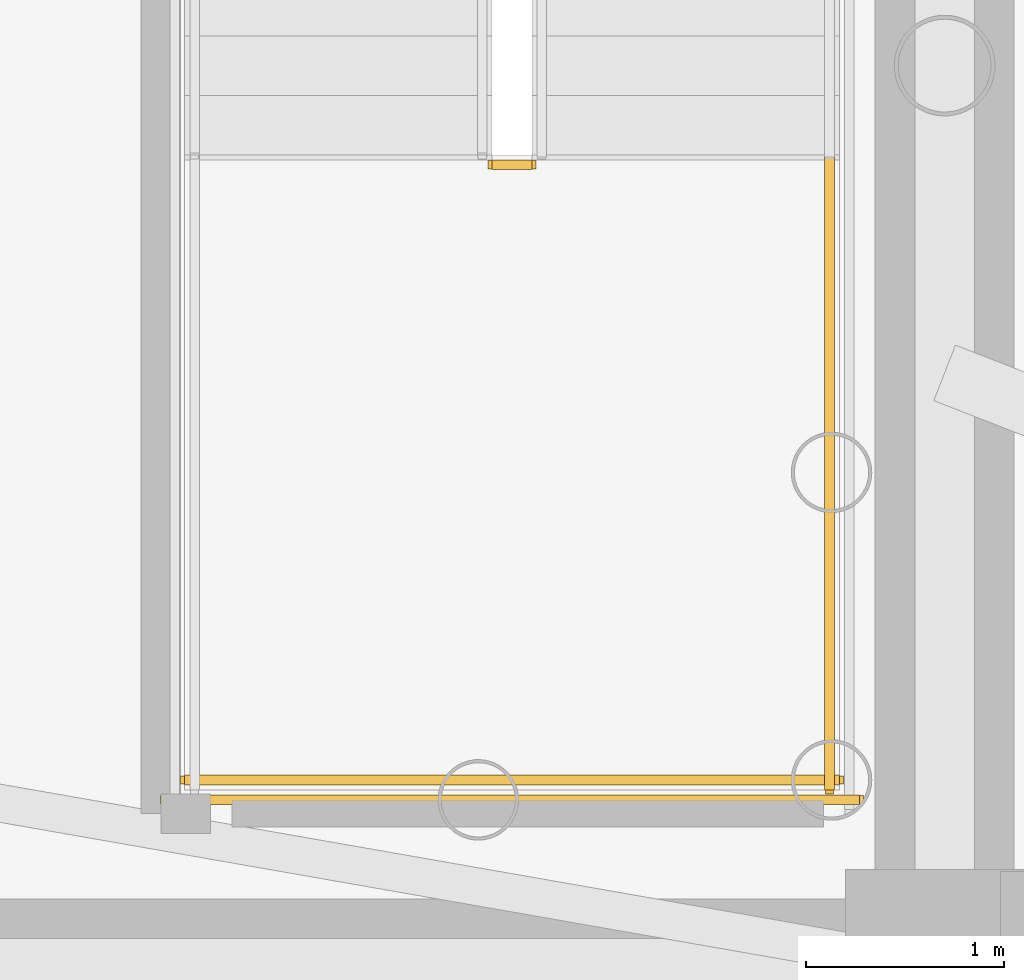
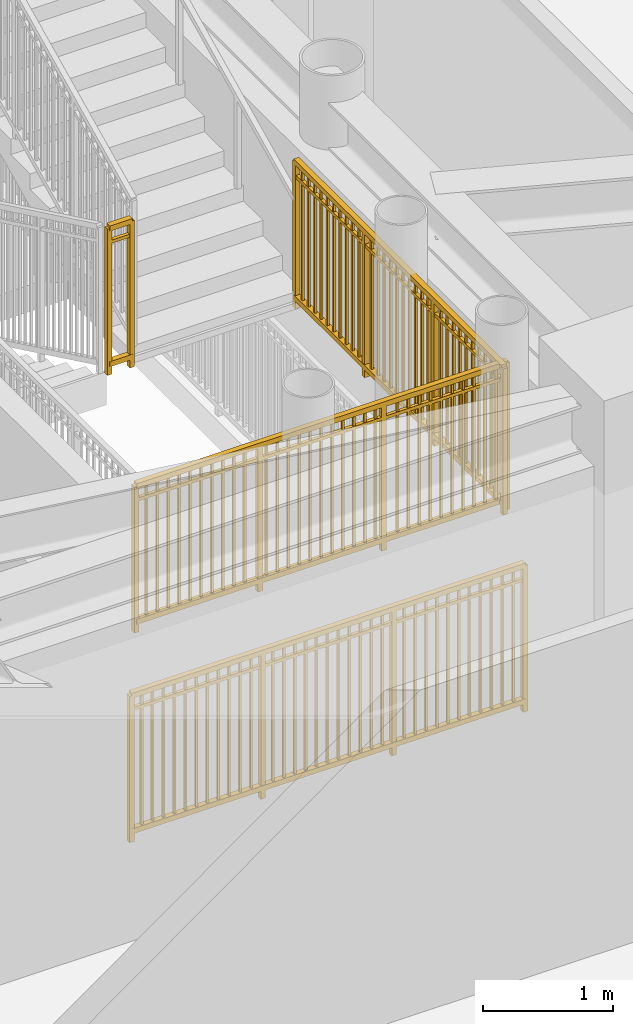
# One storey, part 12 of 17: 4 railings.
"""IFC4 building model written with IfcOpenShell, lengths in metres."""

from ifc_helpers import new_model, si_unit, direction, frame, origin, origin_2d, place, context, subcontext, project, spatial, rectangle, extrude, source, transform, mapped, material, type_object, element, save


model = new_model("IFC4")

# Units and contexts
model_context = context("Model", 3, precision=1e-05, world=origin(), true_north=direction((0.0, 1.0)))
body_context = subcontext(model_context, "Body", "Model", "MODEL_VIEW")
ifc_project = project(units=[si_unit("LENGTHUNIT", "METRE"), si_unit("AREAUNIT", "SQUARE_METRE"), si_unit("VOLUMEUNIT", "CUBIC_METRE"), si_unit("PLANEANGLEUNIT", "RADIAN"), si_unit("MASSUNIT", "GRAM", prefix="KILO")], contexts=[model_context])

# Site, building, storey
site_placement = place(None, origin())
site = spatial("IfcSite", under=ifc_project, at=site_placement, CompositionType="ELEMENT")
building_placement = place(site_placement, origin())
building = spatial("IfcBuilding", under=site, at=building_placement, Name="Linh Dai School and Residence Tower", CompositionType="ELEMENT")
storey_placement = place(building_placement, frame((0.0, 0.0, 310.5)))
storey = spatial("IfcBuildingStorey", under=building, at=storey_placement, Name="L77", CompositionType="ELEMENT", Elevation=310.5)

# Railings
ifc_material = material(Name="Structural Steel S355JR", Category="steel")
railing_type = type_object("IfcRailingType", Name="RL-ST-GUARD-1400", PredefinedType="GUARDRAIL", material=ifc_material)
shared_shape_1 = source(origin(), body_context, "Body", "SweptSolid", [
    extrude(rectangle(XDim=0.048095703125, YDim=0.048095703125, at=origin_2d()), frame((0.0, 0.0, 1.3759765625), z_axis=(1.0, 0.0, 0.0), x_axis=(0.0, 1.0, 0.0)), (0.0, 0.0, 1.0), 0.199951171875),
    extrude(rectangle(XDim=0.048095703125, YDim=0.048095703125, at=origin_2d()), frame((0.0, 0.0, 0.10009765625), z_axis=(1.0, 0.0, 0.0), x_axis=(0.0, 1.0, 0.0)), (0.0, 0.0, 1.0), 0.199951171875),
    extrude(rectangle(XDim=0.030029296875, YDim=0.030029296875, at=origin_2d()), frame((0.0, 0.0, 1.239990234375), z_axis=(1.0, 0.0, 0.0), x_axis=(0.0, 1.0, 0.0)), (0.0, 0.0, 1.0), 0.199951171875),
    extrude(rectangle(XDim=0.0419921875, YDim=0.0419921875, at=origin_2d()), origin(), (0.0, 0.0, 1.0), 1.3759765625),
    extrude(rectangle(XDim=0.0419921875, YDim=0.0419921875, at=origin_2d()), frame((0.199951171875, 0.0, 0.0)), (0.0, 0.0, 1.0), 1.3759765625),
])
railing_1_placement = place(storey_placement, frame((42.570068359375, 24.60009765625, 1.875)))
element("IfcRailing", 1, at=railing_1_placement, inside=storey, type_object=railing_type, Name="L77 ST2 stair guard 2", PredefinedType="GUARDRAIL", context=body_context, shape_type="MappedRepresentation", body=[
    mapped(shared_shape_1, transform((0.0, 0.0, 0.0), x_axis=(1.0, 0.0, 0.0), y_axis=(0.0, 1.0, 0.0), z_axis=(0.0, 0.0, 1.0), scale=1.0)),
])
shared_shape_2 = source(origin(), body_context, "Body", "SweptSolid", [
    extrude(rectangle(XDim=0.048095703125, YDim=0.048095703125, at=origin_2d()), frame((0.0, 0.0, 1.3759765625), z_axis=(1.0, 0.0, 0.0), x_axis=(0.0, 1.0, 0.0)), (0.0, 0.0, 1.0), 3.300048828125),
    extrude(rectangle(XDim=0.048095703125, YDim=0.048095703125, at=origin_2d()), frame((0.0, 0.0, 0.10009765625), z_axis=(1.0, 0.0, 0.0), x_axis=(0.0, 1.0, 0.0)), (0.0, 0.0, 1.0), 3.300048828125),
    extrude(rectangle(XDim=0.030029296875, YDim=0.030029296875, at=origin_2d()), frame((0.0, 0.0, 1.239990234375), z_axis=(1.0, 0.0, 0.0), x_axis=(0.0, 1.0, 0.0)), (0.0, 0.0, 1.0), 3.300048828125),
    extrude(rectangle(XDim=0.02001953125, YDim=0.02001953125, at=origin_2d()), frame((0.09716796875, 0.0, 0.10009765625)), (0.0, 0.0, 1.0), 1.251708984375),
    extrude(rectangle(XDim=0.02001953125, YDim=0.02001953125, at=origin_2d()), frame((0.194091796875, 0.0, 0.10009765625)), (0.0, 0.0, 1.0), 1.251708984375),
    extrude(rectangle(XDim=0.02001953125, YDim=0.02001953125, at=origin_2d()), frame((0.291259765625, 0.0, 0.10009765625)), (0.0, 0.0, 1.0), 1.251708984375),
    extrude(rectangle(XDim=0.02001953125, YDim=0.02001953125, at=origin_2d()), frame((0.38818359375, 0.0, 0.10009765625)), (0.0, 0.0, 1.0), 1.251708984375),
    extrude(rectangle(XDim=0.02001953125, YDim=0.02001953125, at=origin_2d()), frame((0.4853515625, 0.0, 0.10009765625)), (0.0, 0.0, 1.0), 1.251708984375),
    extrude(rectangle(XDim=0.02001953125, YDim=0.02001953125, at=origin_2d()), frame((0.582275390625, 0.0, 0.10009765625)), (0.0, 0.0, 1.0), 1.251708984375),
    extrude(rectangle(XDim=0.02001953125, YDim=0.02001953125, at=origin_2d()), frame((0.679443359375, 0.0, 0.10009765625)), (0.0, 0.0, 1.0), 1.251708984375),
    extrude(rectangle(XDim=0.02001953125, YDim=0.02001953125, at=origin_2d()), frame((0.7763671875, 0.0, 0.10009765625)), (0.0, 0.0, 1.0), 1.251708984375),
    extrude(rectangle(XDim=0.02001953125, YDim=0.02001953125, at=origin_2d()), frame((0.87353515625, 0.0, 0.10009765625)), (0.0, 0.0, 1.0), 1.251708984375),
    extrude(rectangle(XDim=0.02001953125, YDim=0.02001953125, at=origin_2d()), frame((0.970703125, 0.0, 0.10009765625)), (0.0, 0.0, 1.0), 1.251708984375),
    extrude(rectangle(XDim=0.02001953125, YDim=0.02001953125, at=origin_2d()), frame((1.164794921875, 0.0, 0.10009765625)), (0.0, 0.0, 1.0), 1.251708984375),
    extrude(rectangle(XDim=0.02001953125, YDim=0.02001953125, at=origin_2d()), frame((1.26171875, 0.0, 0.10009765625)), (0.0, 0.0, 1.0), 1.251708984375),
    extrude(rectangle(XDim=0.02001953125, YDim=0.02001953125, at=origin_2d()), frame((1.35888671875, 0.0, 0.10009765625)), (0.0, 0.0, 1.0), 1.251708984375),
    extrude(rectangle(XDim=0.02001953125, YDim=0.02001953125, at=origin_2d()), frame((1.455810546875, 0.0, 0.10009765625)), (0.0, 0.0, 1.0), 1.251708984375),
    extrude(rectangle(XDim=0.02001953125, YDim=0.02001953125, at=origin_2d()), frame((1.552978515625, 0.0, 0.10009765625)), (0.0, 0.0, 1.0), 1.251708984375),
    extrude(rectangle(XDim=0.02001953125, YDim=0.02001953125, at=origin_2d()), frame((1.64990234375, 0.0, 0.10009765625)), (0.0, 0.0, 1.0), 1.251708984375),
    extrude(rectangle(XDim=0.02001953125, YDim=0.02001953125, at=origin_2d()), frame((1.7470703125, 0.0, 0.10009765625)), (0.0, 0.0, 1.0), 1.251708984375),
    extrude(rectangle(XDim=0.02001953125, YDim=0.02001953125, at=origin_2d()), frame((1.84423828125, 0.0, 0.10009765625)), (0.0, 0.0, 1.0), 1.251708984375),
    extrude(rectangle(XDim=0.02001953125, YDim=0.02001953125, at=origin_2d()), frame((1.941162109375, 0.0, 0.10009765625)), (0.0, 0.0, 1.0), 1.251708984375),
    extrude(rectangle(XDim=0.02001953125, YDim=0.02001953125, at=origin_2d()), frame((2.038330078125, 0.0, 0.10009765625)), (0.0, 0.0, 1.0), 1.251708984375),
    extrude(rectangle(XDim=0.02001953125, YDim=0.02001953125, at=origin_2d()), frame((2.13525390625, 0.0, 0.10009765625)), (0.0, 0.0, 1.0), 1.251708984375),
    extrude(rectangle(XDim=0.02001953125, YDim=0.02001953125, at=origin_2d()), frame((2.329345703125, 0.0, 0.10009765625)), (0.0, 0.0, 1.0), 1.251708984375),
    extrude(rectangle(XDim=0.02001953125, YDim=0.02001953125, at=origin_2d()), frame((2.426513671875, 0.0, 0.10009765625)), (0.0, 0.0, 1.0), 1.251708984375),
    extrude(rectangle(XDim=0.02001953125, YDim=0.02001953125, at=origin_2d()), frame((2.523681640625, 0.0, 0.10009765625)), (0.0, 0.0, 1.0), 1.251708984375),
    extrude(rectangle(XDim=0.02001953125, YDim=0.02001953125, at=origin_2d()), frame((2.62060546875, 0.0, 0.10009765625)), (0.0, 0.0, 1.0), 1.251708984375),
    extrude(rectangle(XDim=0.02001953125, YDim=0.02001953125, at=origin_2d()), frame((2.7177734375, 0.0, 0.10009765625)), (0.0, 0.0, 1.0), 1.251708984375),
    extrude(rectangle(XDim=0.02001953125, YDim=0.02001953125, at=origin_2d()), frame((2.814697265625, 0.0, 0.10009765625)), (0.0, 0.0, 1.0), 1.251708984375),
    extrude(rectangle(XDim=0.02001953125, YDim=0.02001953125, at=origin_2d()), frame((2.911865234375, 0.0, 0.10009765625)), (0.0, 0.0, 1.0), 1.251708984375),
    extrude(rectangle(XDim=0.02001953125, YDim=0.02001953125, at=origin_2d()), frame((3.0087890625, 0.0, 0.10009765625)), (0.0, 0.0, 1.0), 1.251708984375),
    extrude(rectangle(XDim=0.02001953125, YDim=0.02001953125, at=origin_2d()), frame((3.10595703125, 0.0, 0.10009765625)), (0.0, 0.0, 1.0), 1.251708984375),
    extrude(rectangle(XDim=0.02001953125, YDim=0.02001953125, at=origin_2d()), frame((3.202880859375, 0.0, 0.10009765625)), (0.0, 0.0, 1.0), 1.251708984375),
    extrude(rectangle(XDim=0.0419921875, YDim=0.0419921875, at=origin_2d()), origin(), (0.0, 0.0, 1.0), 1.3759765625),
    extrude(rectangle(XDim=0.0419921875, YDim=0.0419921875, at=origin_2d()), frame((1.10009765625, 0.0, 0.0)), (0.0, 0.0, 1.0), 1.3759765625),
    extrude(rectangle(XDim=0.0419921875, YDim=0.0419921875, at=origin_2d()), frame((2.199951171875, 0.0, 0.0)), (0.0, 0.0, 1.0), 1.3759765625),
    extrude(rectangle(XDim=0.0419921875, YDim=0.0419921875, at=origin_2d()), frame((3.300048828125, 0.0, 0.0)), (0.0, 0.0, 1.0), 1.3759765625),
])
railing_2_placement = place(storey_placement, frame((41.02001953125, 21.5, 1.875)))
element("IfcRailing", 2, at=railing_2_placement, inside=storey, type_object=railing_type, Name="L77 ST2 stair guard 5", PredefinedType="GUARDRAIL", context=body_context, shape_type="MappedRepresentation", body=[
    mapped(shared_shape_2, transform((0.0, 0.0, 0.0), x_axis=(1.0, 0.0, 0.0), y_axis=(0.0, 1.0, 0.0), z_axis=(0.0, 0.0, 1.0), scale=1.0)),
])
shared_shape_3 = source(origin(), body_context, "Body", "SweptSolid", [
    extrude(rectangle(XDim=0.048095703125, YDim=0.048095703125, at=origin_2d()), frame((0.0, 0.0, 1.3759765625), z_axis=(1.0, 0.0, 0.0), x_axis=(0.0, 1.0, 0.0)), (0.0, 0.0, 1.0), 3.5),
    extrude(rectangle(XDim=0.048095703125, YDim=0.048095703125, at=origin_2d()), frame((0.0, 0.0, 0.10009765625), z_axis=(1.0, 0.0, 0.0), x_axis=(0.0, 1.0, 0.0)), (0.0, 0.0, 1.0), 3.5),
    extrude(rectangle(XDim=0.030029296875, YDim=0.030029296875, at=origin_2d()), frame((0.0, 0.0, 1.239990234375), z_axis=(1.0, 0.0, 0.0), x_axis=(0.0, 1.0, 0.0)), (0.0, 0.0, 1.0), 3.5),
    extrude(rectangle(XDim=0.02001953125, YDim=0.02001953125, at=origin_2d()), frame((0.09716796875, 0.0, 0.10009765625)), (0.0, 0.0, 1.0), 1.251708984375),
    extrude(rectangle(XDim=0.02001953125, YDim=0.02001953125, at=origin_2d()), frame((0.1943359375, 0.0, 0.10009765625)), (0.0, 0.0, 1.0), 1.251708984375),
    extrude(rectangle(XDim=0.02001953125, YDim=0.02001953125, at=origin_2d()), frame((0.291748046875, 0.0, 0.10009765625)), (0.0, 0.0, 1.0), 1.251708984375),
    extrude(rectangle(XDim=0.02001953125, YDim=0.02001953125, at=origin_2d()), frame((0.388916015625, 0.0, 0.10009765625)), (0.0, 0.0, 1.0), 1.251708984375),
    extrude(rectangle(XDim=0.02001953125, YDim=0.02001953125, at=origin_2d()), frame((0.486083984375, 0.0, 0.10009765625)), (0.0, 0.0, 1.0), 1.251708984375),
    extrude(rectangle(XDim=0.02001953125, YDim=0.02001953125, at=origin_2d()), frame((0.583251953125, 0.0, 0.10009765625)), (0.0, 0.0, 1.0), 1.251708984375),
    extrude(rectangle(XDim=0.02001953125, YDim=0.02001953125, at=origin_2d()), frame((0.6806640625, 0.0, 0.10009765625)), (0.0, 0.0, 1.0), 1.251708984375),
    extrude(rectangle(XDim=0.02001953125, YDim=0.02001953125, at=origin_2d()), frame((0.77783203125, 0.0, 0.10009765625)), (0.0, 0.0, 1.0), 1.251708984375),
    extrude(rectangle(XDim=0.02001953125, YDim=0.02001953125, at=origin_2d()), frame((0.875, 0.0, 0.10009765625)), (0.0, 0.0, 1.0), 1.251708984375),
    extrude(rectangle(XDim=0.02001953125, YDim=0.02001953125, at=origin_2d()), frame((0.97216796875, 0.0, 0.10009765625)), (0.0, 0.0, 1.0), 1.251708984375),
    extrude(rectangle(XDim=0.02001953125, YDim=0.02001953125, at=origin_2d()), frame((1.0693359375, 0.0, 0.10009765625)), (0.0, 0.0, 1.0), 1.251708984375),
    extrude(rectangle(XDim=0.02001953125, YDim=0.02001953125, at=origin_2d()), frame((1.263916015625, 0.0, 0.10009765625)), (0.0, 0.0, 1.0), 1.251708984375),
    extrude(rectangle(XDim=0.02001953125, YDim=0.02001953125, at=origin_2d()), frame((1.361083984375, 0.0, 0.10009765625)), (0.0, 0.0, 1.0), 1.251708984375),
    extrude(rectangle(XDim=0.02001953125, YDim=0.02001953125, at=origin_2d()), frame((1.458251953125, 0.0, 0.10009765625)), (0.0, 0.0, 1.0), 1.251708984375),
    extrude(rectangle(XDim=0.02001953125, YDim=0.02001953125, at=origin_2d()), frame((1.5556640625, 0.0, 0.10009765625)), (0.0, 0.0, 1.0), 1.251708984375),
    extrude(rectangle(XDim=0.02001953125, YDim=0.02001953125, at=origin_2d()), frame((1.65283203125, 0.0, 0.10009765625)), (0.0, 0.0, 1.0), 1.251708984375),
    extrude(rectangle(XDim=0.02001953125, YDim=0.02001953125, at=origin_2d()), frame((1.75, 0.0, 0.10009765625)), (0.0, 0.0, 1.0), 1.251708984375),
    extrude(rectangle(XDim=0.02001953125, YDim=0.02001953125, at=origin_2d()), frame((1.84716796875, 0.0, 0.10009765625)), (0.0, 0.0, 1.0), 1.251708984375),
    extrude(rectangle(XDim=0.02001953125, YDim=0.02001953125, at=origin_2d()), frame((1.9443359375, 0.0, 0.10009765625)), (0.0, 0.0, 1.0), 1.251708984375),
    extrude(rectangle(XDim=0.02001953125, YDim=0.02001953125, at=origin_2d()), frame((2.041748046875, 0.0, 0.10009765625)), (0.0, 0.0, 1.0), 1.251708984375),
    extrude(rectangle(XDim=0.02001953125, YDim=0.02001953125, at=origin_2d()), frame((2.138916015625, 0.0, 0.10009765625)), (0.0, 0.0, 1.0), 1.251708984375),
    extrude(rectangle(XDim=0.02001953125, YDim=0.02001953125, at=origin_2d()), frame((2.236083984375, 0.0, 0.10009765625)), (0.0, 0.0, 1.0), 1.251708984375),
    extrude(rectangle(XDim=0.02001953125, YDim=0.02001953125, at=origin_2d()), frame((2.4306640625, 0.0, 0.10009765625)), (0.0, 0.0, 1.0), 1.251708984375),
    extrude(rectangle(XDim=0.02001953125, YDim=0.02001953125, at=origin_2d()), frame((2.52783203125, 0.0, 0.10009765625)), (0.0, 0.0, 1.0), 1.251708984375),
    extrude(rectangle(XDim=0.02001953125, YDim=0.02001953125, at=origin_2d()), frame((2.625, 0.0, 0.10009765625)), (0.0, 0.0, 1.0), 1.251708984375),
    extrude(rectangle(XDim=0.02001953125, YDim=0.02001953125, at=origin_2d()), frame((2.72216796875, 0.0, 0.10009765625)), (0.0, 0.0, 1.0), 1.251708984375),
    extrude(rectangle(XDim=0.02001953125, YDim=0.02001953125, at=origin_2d()), frame((2.8193359375, 0.0, 0.10009765625)), (0.0, 0.0, 1.0), 1.251708984375),
    extrude(rectangle(XDim=0.02001953125, YDim=0.02001953125, at=origin_2d()), frame((2.916748046875, 0.0, 0.10009765625)), (0.0, 0.0, 1.0), 1.251708984375),
    extrude(rectangle(XDim=0.02001953125, YDim=0.02001953125, at=origin_2d()), frame((3.013916015625, 0.0, 0.10009765625)), (0.0, 0.0, 1.0), 1.251708984375),
    extrude(rectangle(XDim=0.02001953125, YDim=0.02001953125, at=origin_2d()), frame((3.111083984375, 0.0, 0.10009765625)), (0.0, 0.0, 1.0), 1.251708984375),
    extrude(rectangle(XDim=0.02001953125, YDim=0.02001953125, at=origin_2d()), frame((3.208251953125, 0.0, 0.10009765625)), (0.0, 0.0, 1.0), 1.251708984375),
    extrude(rectangle(XDim=0.02001953125, YDim=0.02001953125, at=origin_2d()), frame((3.3056640625, 0.0, 0.10009765625)), (0.0, 0.0, 1.0), 1.251708984375),
    extrude(rectangle(XDim=0.02001953125, YDim=0.02001953125, at=origin_2d()), frame((3.40283203125, 0.0, 0.10009765625)), (0.0, 0.0, 1.0), 1.251708984375),
    extrude(rectangle(XDim=0.0419921875, YDim=0.0419921875, at=origin_2d()), origin(), (0.0, 0.0, 1.0), 1.3759765625),
    extrude(rectangle(XDim=0.0419921875, YDim=0.0419921875, at=origin_2d()), frame((1.166748046875, 0.0, 0.0)), (0.0, 0.0, 1.0), 1.3759765625),
    extrude(rectangle(XDim=0.0419921875, YDim=0.0419921875, at=origin_2d()), frame((2.333251953125, 0.0, 0.0)), (0.0, 0.0, 1.0), 1.3759765625),
    extrude(rectangle(XDim=0.0419921875, YDim=0.0419921875, at=origin_2d()), frame((3.5, 0.0, 0.0)), (0.0, 0.0, 1.0), 1.3759765625),
])
railing_3_placement = place(storey_placement, frame((40.919921875, 21.39990234375, 0.0)))
element("IfcRailing", 3, at=railing_3_placement, inside=storey, type_object=railing_type, Name="L77 ST2 stair guard 12", PredefinedType="GUARDRAIL", context=body_context, shape_type="MappedRepresentation", body=[
    mapped(shared_shape_3, transform((0.0, 0.0, 0.0), x_axis=(1.0, 0.0, 0.0), y_axis=(0.0, 1.0, 0.0), z_axis=(0.0, 0.0, 1.0), scale=1.0)),
])
shared_shape_4 = source(origin(), body_context, "Body", "SweptSolid", [
    extrude(rectangle(XDim=0.048095703125, YDim=0.048095703125, at=origin_2d()), frame((0.0, 0.0, 1.3759765625), z_axis=(0.0, -1.0, 0.0), x_axis=(1.0, 0.0, 0.0)), (0.0, 0.0, 1.0), 3.199951171875),
    extrude(rectangle(XDim=0.048095703125, YDim=0.048095703125, at=origin_2d()), frame((0.0, 0.0, 0.10009765625), z_axis=(0.0, -1.0, 0.0), x_axis=(1.0, 0.0, 0.0)), (0.0, 0.0, 1.0), 3.199951171875),
    extrude(rectangle(XDim=0.030029296875, YDim=0.030029296875, at=origin_2d()), frame((0.0, 0.0, 1.239990234375), z_axis=(0.0, -1.0, 0.0), x_axis=(1.0, 0.0, 0.0)), (0.0, 0.0, 1.0), 3.199951171875),
    extrude(rectangle(XDim=0.02001953125, YDim=0.02001953125, at=origin_2d()), frame((0.0, -0.096923828125, 0.10009765625)), (0.0, 0.0, 1.0), 1.251708984375),
    extrude(rectangle(XDim=0.02001953125, YDim=0.02001953125, at=origin_2d()), frame((0.0, -0.19384765625, 0.10009765625)), (0.0, 0.0, 1.0), 1.251708984375),
    extrude(rectangle(XDim=0.02001953125, YDim=0.02001953125, at=origin_2d()), frame((0.0, -0.291015625, 0.10009765625)), (0.0, 0.0, 1.0), 1.251708984375),
    extrude(rectangle(XDim=0.02001953125, YDim=0.02001953125, at=origin_2d()), frame((0.0, -0.387939453125, 0.10009765625)), (0.0, 0.0, 1.0), 1.251708984375),
    extrude(rectangle(XDim=0.02001953125, YDim=0.02001953125, at=origin_2d()), frame((0.0, -0.48486328125, 0.10009765625)), (0.0, 0.0, 1.0), 1.251708984375),
    extrude(rectangle(XDim=0.02001953125, YDim=0.02001953125, at=origin_2d()), frame((0.0, -0.581787109375, 0.10009765625)), (0.0, 0.0, 1.0), 1.251708984375),
    extrude(rectangle(XDim=0.02001953125, YDim=0.02001953125, at=origin_2d()), frame((0.0, -0.6787109375, 0.10009765625)), (0.0, 0.0, 1.0), 1.251708984375),
    extrude(rectangle(XDim=0.02001953125, YDim=0.02001953125, at=origin_2d()), frame((0.0, -0.775634765625, 0.10009765625)), (0.0, 0.0, 1.0), 1.251708984375),
    extrude(rectangle(XDim=0.02001953125, YDim=0.02001953125, at=origin_2d()), frame((0.0, -0.872802734375, 0.10009765625)), (0.0, 0.0, 1.0), 1.251708984375),
    extrude(rectangle(XDim=0.02001953125, YDim=0.02001953125, at=origin_2d()), frame((0.0, -0.9697265625, 0.10009765625)), (0.0, 0.0, 1.0), 1.251708984375),
    extrude(rectangle(XDim=0.02001953125, YDim=0.02001953125, at=origin_2d()), frame((0.0, -1.16357421875, 0.10009765625)), (0.0, 0.0, 1.0), 1.251708984375),
    extrude(rectangle(XDim=0.02001953125, YDim=0.02001953125, at=origin_2d()), frame((0.0, -1.260498046875, 0.10009765625)), (0.0, 0.0, 1.0), 1.251708984375),
    extrude(rectangle(XDim=0.02001953125, YDim=0.02001953125, at=origin_2d()), frame((0.0, -1.357666015625, 0.10009765625)), (0.0, 0.0, 1.0), 1.251708984375),
    extrude(rectangle(XDim=0.02001953125, YDim=0.02001953125, at=origin_2d()), frame((0.0, -1.45458984375, 0.10009765625)), (0.0, 0.0, 1.0), 1.251708984375),
    extrude(rectangle(XDim=0.02001953125, YDim=0.02001953125, at=origin_2d()), frame((0.0, -1.551513671875, 0.10009765625)), (0.0, 0.0, 1.0), 1.251708984375),
    extrude(rectangle(XDim=0.02001953125, YDim=0.02001953125, at=origin_2d()), frame((0.0, -1.6484375, 0.10009765625)), (0.0, 0.0, 1.0), 1.251708984375),
    extrude(rectangle(XDim=0.02001953125, YDim=0.02001953125, at=origin_2d()), frame((0.0, -1.745361328125, 0.10009765625)), (0.0, 0.0, 1.0), 1.251708984375),
    extrude(rectangle(XDim=0.02001953125, YDim=0.02001953125, at=origin_2d()), frame((0.0, -1.84228515625, 0.10009765625)), (0.0, 0.0, 1.0), 1.251708984375),
    extrude(rectangle(XDim=0.02001953125, YDim=0.02001953125, at=origin_2d()), frame((0.0, -1.939453125, 0.10009765625)), (0.0, 0.0, 1.0), 1.251708984375),
    extrude(rectangle(XDim=0.02001953125, YDim=0.02001953125, at=origin_2d()), frame((0.0, -2.036376953125, 0.10009765625)), (0.0, 0.0, 1.0), 1.251708984375),
    extrude(rectangle(XDim=0.02001953125, YDim=0.02001953125, at=origin_2d()), frame((0.0, -2.230224609375, 0.10009765625)), (0.0, 0.0, 1.0), 1.251708984375),
    extrude(rectangle(XDim=0.02001953125, YDim=0.02001953125, at=origin_2d()), frame((0.0, -2.3271484375, 0.10009765625)), (0.0, 0.0, 1.0), 1.251708984375),
    extrude(rectangle(XDim=0.02001953125, YDim=0.02001953125, at=origin_2d()), frame((0.0, -2.42431640625, 0.10009765625)), (0.0, 0.0, 1.0), 1.251708984375),
    extrude(rectangle(XDim=0.02001953125, YDim=0.02001953125, at=origin_2d()), frame((0.0, -2.521240234375, 0.10009765625)), (0.0, 0.0, 1.0), 1.251708984375),
    extrude(rectangle(XDim=0.02001953125, YDim=0.02001953125, at=origin_2d()), frame((0.0, -2.6181640625, 0.10009765625)), (0.0, 0.0, 1.0), 1.251708984375),
    extrude(rectangle(XDim=0.02001953125, YDim=0.02001953125, at=origin_2d()), frame((0.0, -2.715087890625, 0.10009765625)), (0.0, 0.0, 1.0), 1.251708984375),
    extrude(rectangle(XDim=0.02001953125, YDim=0.02001953125, at=origin_2d()), frame((0.0, -2.81201171875, 0.10009765625)), (0.0, 0.0, 1.0), 1.251708984375),
    extrude(rectangle(XDim=0.02001953125, YDim=0.02001953125, at=origin_2d()), frame((0.0, -2.908935546875, 0.10009765625)), (0.0, 0.0, 1.0), 1.251708984375),
    extrude(rectangle(XDim=0.02001953125, YDim=0.02001953125, at=origin_2d()), frame((0.0, -3.006103515625, 0.10009765625)), (0.0, 0.0, 1.0), 1.251708984375),
    extrude(rectangle(XDim=0.02001953125, YDim=0.02001953125, at=origin_2d()), frame((0.0, -3.10302734375, 0.10009765625)), (0.0, 0.0, 1.0), 1.251708984375),
    extrude(rectangle(XDim=0.0419921875, YDim=0.0419921875, at=origin_2d()), origin(), (0.0, 0.0, 1.0), 1.3759765625),
    extrude(rectangle(XDim=0.0419921875, YDim=0.0419921875, at=origin_2d()), frame((0.0, -1.066650390625, 0.0)), (0.0, 0.0, 1.0), 1.3759765625),
    extrude(rectangle(XDim=0.0419921875, YDim=0.0419921875, at=origin_2d()), frame((0.0, -2.13330078125, 0.0)), (0.0, 0.0, 1.0), 1.3759765625),
    extrude(rectangle(XDim=0.0419921875, YDim=0.0419921875, at=origin_2d()), frame((0.0, -3.199951171875, 0.0)), (0.0, 0.0, 1.0), 1.3759765625),
])
railing_4_placement = place(storey_placement, frame((44.27001953125, 24.64990234375, 1.875)))
element("IfcRailing", 4, at=railing_4_placement, inside=storey, type_object=railing_type, Name="L77 ST2 stair guard 4", PredefinedType="GUARDRAIL", context=body_context, shape_type="MappedRepresentation", body=[
    mapped(shared_shape_4, transform((0.0, 0.0, 0.0), x_axis=(1.0, 0.0, 0.0), y_axis=(0.0, 1.0, 0.0), z_axis=(0.0, 0.0, 1.0), scale=1.0)),
])

save(model, "model.ifc")
